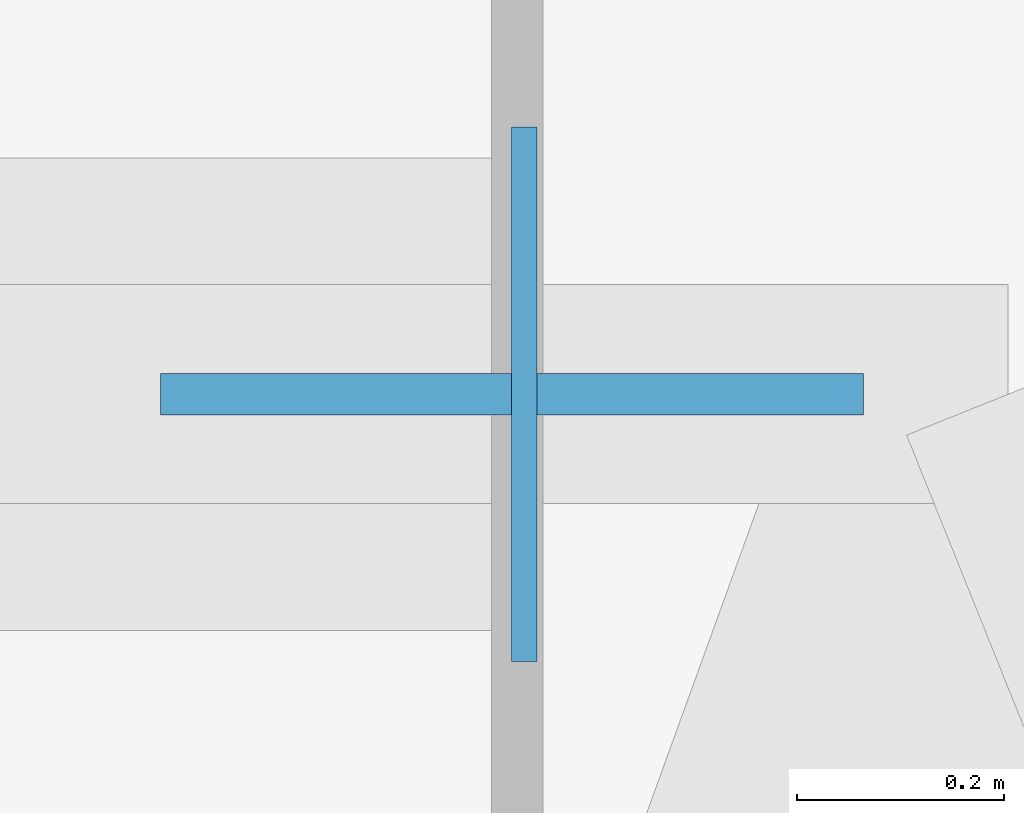
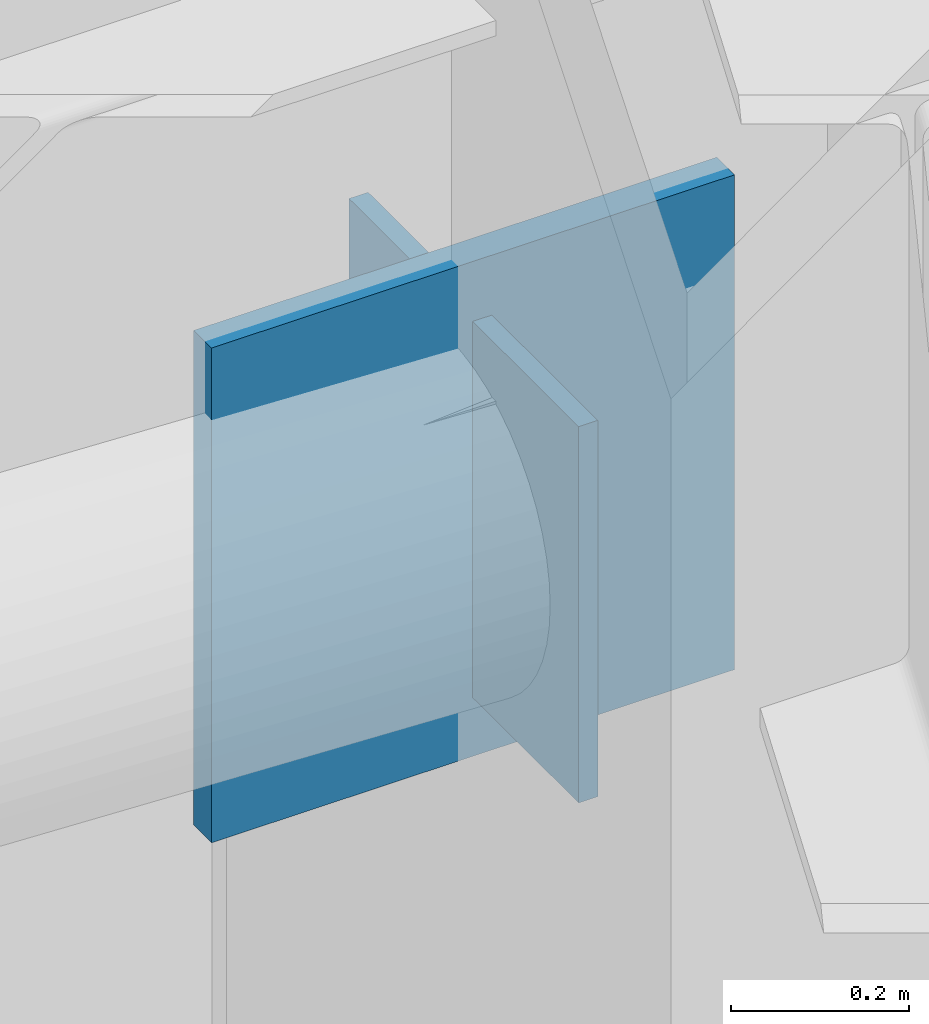
# One storey, part 10 of 18: 2 plates.
"""IFC4 building model written with IfcOpenShell, lengths in metres."""

from ifc_helpers import new_model, si_unit, direction, frame, origin, origin_2d, place, context, subcontext, project, spatial, rectangle, extrude, material, layer, layer_set, type_object, element, save


model = new_model("IFC4")

# Units and contexts
model_context = context("Model", 3, precision=1e-05, world=origin(), true_north=direction((0.0, 1.0)))
body_context = subcontext(model_context, "Body", "Model", "MODEL_VIEW")
ifc_project = project(units=[si_unit("LENGTHUNIT", "METRE"), si_unit("AREAUNIT", "SQUARE_METRE"), si_unit("VOLUMEUNIT", "CUBIC_METRE"), si_unit("PLANEANGLEUNIT", "RADIAN"), si_unit("MASSUNIT", "GRAM", prefix="KILO")], contexts=[model_context])

# Site, building, storey
site_placement = place(None, origin())
site = spatial("IfcSite", under=ifc_project, at=site_placement, CompositionType="ELEMENT")
building_placement = place(site_placement, origin())
building = spatial("IfcBuilding", under=site, at=building_placement, Name="Khamvora Tower", CompositionType="ELEMENT")
storey_placement = place(building_placement, frame((0.0, 0.0, 109.199951171875)))
storey = spatial("IfcBuildingStorey", under=building, at=storey_placement, Name="L27", CompositionType="ELEMENT", Elevation=109.199951171875)

# Plates
ifc_material_1 = material(Name="Steel S355", Category="steel")
ifc_layer_1 = layer(ifc_material_1, 0.02490234375)
ifc_layer_set_1 = layer_set([ifc_layer_1], Name="Steel S355")
plate_type_1 = type_object("IfcPlateType", Name="PL-CAP-25", PredefinedType="SHEET", material=ifc_layer_set_1)
plate_1_placement = place(storey_placement, frame((49.48193359375, 47.300048828125, 2.4404296875), z_axis=(0.0, 0.0, 1.0), x_axis=(-1.0, 0.0, 0.0)))
element("IfcPlate", 1, at=plate_1_placement, inside=storey, type_object=plate_type_1, Name="L27 hollow section steel end cap plate 0754", PredefinedType="SHEET", context=body_context, shape_type="SweptSolid", body=[
    extrude(rectangle(XDim=0.02490234375, YDim=0.51708984375, at=origin_2d()), origin(), (0.0, 0.0, 1.0), 0.51708984375),
])
ifc_material_2 = material(Name="Steel S460", Category="steel")
ifc_layer_2 = layer(ifc_material_2, 0.0400390625)
ifc_layer_set_2 = layer_set([ifc_layer_2], Name="Steel S460")
plate_type_2 = type_object("IfcPlateType", Name="PLT-GUS-40", PredefinedType="SHEET", material=ifc_layer_set_2)
plate_2_placement = place(storey_placement, frame((49.469970703125, 47.300048828125, 2.35986328125), z_axis=(0.0, 0.0, 1.0), x_axis=(1.0, 0.0, 0.0)))
element("IfcPlate", 2, at=plate_2_placement, inside=storey, type_object=plate_type_2, Name="L27 brace connection node gusset plate 0187", PredefinedType="SHEET", context=body_context, shape_type="SweptSolid", body=[
    extrude(rectangle(XDim=0.679931640625, YDim=0.0400390625, at=origin_2d()), origin(), (0.0, 0.0, 1.0), 0.679931640625),
])

save(model, "model.ifc")
